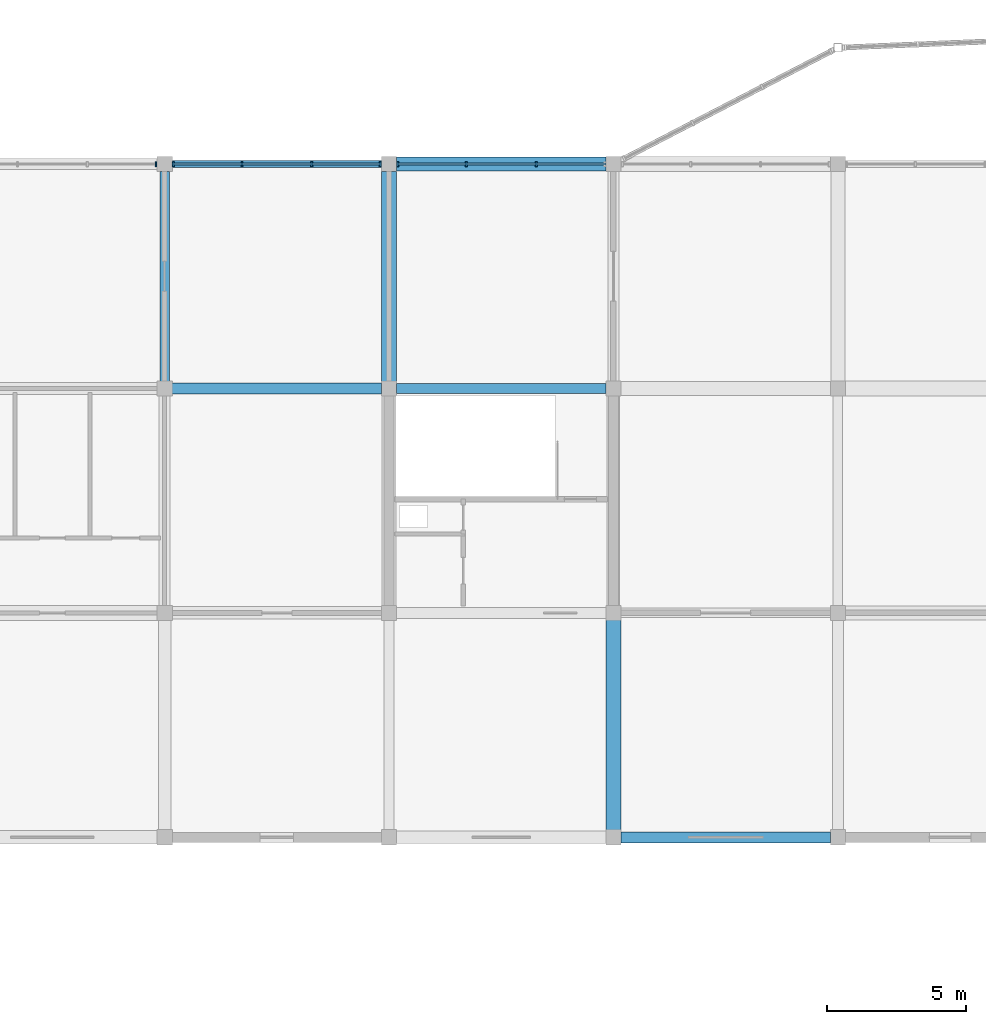
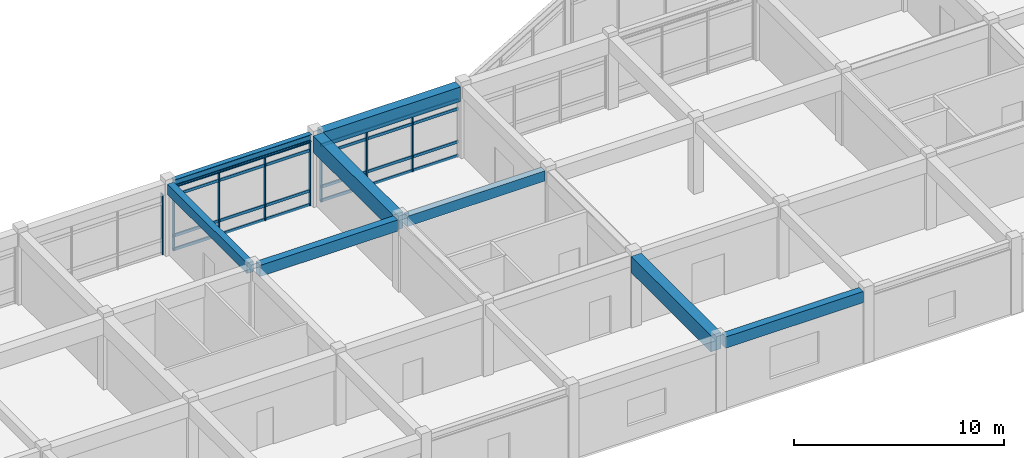
# One storey, part 9 of 40: 16 members, 8 beams, 3 elements without a shape of their own.
"""IFC4 building model written with IfcOpenShell, lengths in metres."""

import ifcopenshell
import ifcopenshell.guid

model = None  # the IFC model being written
_history = None  # IfcOwnerHistory: only IFC2X3 demands one
_inside = {}  # id of a spatial element -> (the spatial element, [elements in it])
_under = {}  # id of a project, library or spatial element -> (it, [spatial elements below it])
_declared = {}  # id of a project -> (the project, [libraries it declares])
_typed = {}  # id of a type object -> (the type object, [elements of that type])
_made_of = {}  # id of a material, layer set ... -> (it, [elements and type objects made of it])


def new_model(schema):
    """Start an empty IFC model of exactly this schema.

    Asked for "IFC4X3", IfcOpenShell would pick the latest addendum, in which some entities
    have other attributes; the version numbers below select the first issue.
    IFC2X3 requires an IfcOwnerHistory on every rooted entity: one is made here for all.
    """
    global model, _history
    if schema == "IFC4X3":
        model = ifcopenshell.file(schema_version=(4, 3, 0, 0))
    else:
        model = ifcopenshell.file(schema=schema)
    _inside.clear()
    _under.clear()
    _declared.clear()
    _typed.clear()
    _made_of.clear()
    _history = None
    if model.schema == "IFC2X3":
        org = make("IfcOrganization", Name="unknown")
        user = make(
            "IfcPersonAndOrganization",
            ThePerson=make("IfcPerson", FamilyName="unknown"),
            TheOrganization=org,
        )
        app = make(
            "IfcApplication",
            ApplicationDeveloper=org,
            Version="unknown",
            ApplicationFullName="unknown",
            ApplicationIdentifier="unknown",
        )
        _history = make(
            "IfcOwnerHistory",
            OwningUser=user,
            OwningApplication=app,
            ChangeAction="ADDED",
            CreationDate=0,
        )
    return model


def make(cls, **values):
    """One entity of the class cls with the attributes given. An attribute that is None is left unset."""
    return model.create_entity(
        cls, **{name: value for name, value in values.items() if value is not None}
    )


def rooted(cls, **values):
    """An entity with a GlobalId (a new one), such as an element, a storey or a relation."""
    return make(cls, GlobalId=ifcopenshell.guid.new(), OwnerHistory=_history, **values)


def si_unit(unit_type, name, prefix=None):
    """IfcSIUnit, for example si_unit("LENGTHUNIT", "METRE", prefix="MILLI")."""
    return make("IfcSIUnit", UnitType=unit_type, Prefix=prefix, Name=name)


def assignment(units):
    """IfcUnitAssignment: the units of a project."""
    return None if units is None else make("IfcUnitAssignment", Units=units)


def point(xyz):
    """IfcCartesianPoint."""
    return None if xyz is None else make("IfcCartesianPoint", Coordinates=xyz)


def direction(xyz):
    """IfcDirection."""
    return None if xyz is None else make("IfcDirection", DirectionRatios=xyz)


def frame(location, z_axis=None, x_axis=None):
    """IfcAxis2Placement3D, a coordinate frame: its origin and axes. An axis left out is left unset."""
    return make(
        "IfcAxis2Placement3D",
        Location=point(location),
        Axis=direction(z_axis),
        RefDirection=direction(x_axis),
    )


def frame_2d(location, x_axis=None):
    """IfcAxis2Placement2D, a coordinate frame in the plane: its origin and x axis."""
    return make(
        "IfcAxis2Placement2D", Location=point(location), RefDirection=direction(x_axis)
    )


def origin():
    """The frame at (0, 0, 0) with its axes left unset."""
    return frame((0.0, 0.0, 0.0))


def origin_2d():
    """The frame at (0, 0) in the plane with its x axis left unset."""
    return frame_2d((0.0, 0.0))


def place(relative_to, where):
    """IfcLocalPlacement: puts the frame where relative to a parent placement (None: the world)."""
    return make(
        "IfcLocalPlacement", PlacementRelTo=relative_to, RelativePlacement=where
    )


def context(
    kind, dimensions, precision=None, world=None, true_north=None, identifier=None
):
    """IfcGeometricRepresentationContext, for example the 3D "Model" context."""
    return make(
        "IfcGeometricRepresentationContext",
        ContextIdentifier=identifier,
        ContextType=kind,
        CoordinateSpaceDimension=dimensions,
        Precision=precision,
        WorldCoordinateSystem=world,
        TrueNorth=true_north,
    )


def subcontext(parent, identifier, kind, view, scale=None):
    """IfcGeometricRepresentationSubContext, for example "Body" below "Model"."""
    return make(
        "IfcGeometricRepresentationSubContext",
        ContextIdentifier=identifier,
        ContextType=kind,
        ParentContext=parent,
        TargetScale=scale,
        TargetView=view,
    )


def project(units=None, contexts=None):
    """IfcProject with its units and contexts."""
    return rooted(
        "IfcProject",
        Name="project",
        RepresentationContexts=contexts,
        UnitsInContext=assignment(units),
    )


def spatial(cls, under=None, at=None, **own):
    """A site, building, storey or space (cls), placed at a placement, below another one or the project."""
    s = rooted(cls, ObjectPlacement=at, **own)
    if under is not None:
        _under.setdefault(under.id(), (under, []))[1].append(s)
    return s


def profile(cls, at=None, kind="AREA", **sizes):
    """A parametric profile (cls). Its sizes go by their IFC names, for example OverallWidth=200.0."""
    return make(cls, ProfileType=kind, Position=at, **sizes)


def rectangle(**sizes):
    """IfcRectangleProfileDef."""
    return profile("IfcRectangleProfileDef", **sizes)


def i_section(**sizes):
    """IfcIShapeProfileDef."""
    return profile("IfcIShapeProfileDef", **sizes)


def extrude(swept, where, along, depth):
    """IfcExtrudedAreaSolid: the profile swept, set in the frame where, extruded along a direction by depth."""
    return make(
        "IfcExtrudedAreaSolid",
        SweptArea=swept,
        Position=where,
        ExtrudedDirection=direction(along),
        Depth=depth,
    )


def shape(context_of_items, identifier, shape_type, items):
    """IfcShapeRepresentation: the items that make up one representation, for example the "Body"."""
    return make(
        "IfcShapeRepresentation",
        ContextOfItems=context_of_items,
        RepresentationIdentifier=identifier,
        RepresentationType=shape_type,
        Items=items,
    )


def material(Name=None, Category=None):
    """IfcMaterial."""
    return make("IfcMaterial", Name=Name, Category=Category)


def layer(
    of_material, thickness, ventilated=None, Name=None, Category=None, Priority=None
):
    """IfcMaterialLayer: one layer of a wall or slab, of a material (None: an air gap)."""
    return make(
        "IfcMaterialLayer",
        Material=of_material,
        LayerThickness=thickness,
        IsVentilated=ventilated,
        Name=Name,
        Category=Category,
        Priority=Priority,
    )


def layer_set(layers, Name=None):
    """IfcMaterialLayerSet."""
    return make("IfcMaterialLayerSet", MaterialLayers=layers, LayerSetName=Name)


def material_profile(
    of_material, cross_section, Name=None, Category=None, Priority=None
):
    """IfcMaterialProfile: a cross section and its material."""
    return make(
        "IfcMaterialProfile",
        Name=Name,
        Material=of_material,
        Profile=cross_section,
        Priority=Priority,
        Category=Category,
    )


def profile_set(profiles, Name=None, composite=None):
    """IfcMaterialProfileSet."""
    return make(
        "IfcMaterialProfileSet",
        Name=Name,
        MaterialProfiles=profiles,
        CompositeProfile=composite,
    )


def made_of(thing, what):
    """Note that an element or type object is made of a material, layer set ...; save() writes the relation."""
    if what is not None:
        _made_of.setdefault(what.id(), (what, []))[1].append(thing)
    return thing


def type_object(cls, material=None, **own):
    """A type object (cls), such as IfcWallType, which elements share."""
    return made_of(rooted(cls, **own), material)


def element(
    cls,
    number,
    at=None,
    inside=None,
    cuts=None,
    type_object=None,
    material=None,
    context=None,
    identifier="Body",
    shape_type=None,
    held_by="IfcProductDefinitionShape",
    body=None,
    shapes=None,
    **own,
):
    """One element of the class cls, such as IfcWall. Its Tag is "e" and its number.

    at: its placement. inside: the storey or other place that contains it. cuts: it is an
    opening in that element (IfcRelVoidsElement). A single representation is given by context,
    identifier, shape_type and body (its items); several are given by shapes. held_by: the class
    of the entity that holds the representations. save() writes the other relations.
    """
    e = rooted(cls, Tag="e%d" % number, ObjectPlacement=at, **own)
    if body is not None:
        shapes = [shape(context, identifier, shape_type, body)]
    if shapes is not None:
        e.Representation = make(held_by, Representations=shapes)
    if inside is not None:
        _inside.setdefault(inside.id(), (inside, []))[1].append(e)
    if cuts is not None:
        rooted(
            "IfcRelVoidsElement", RelatingBuildingElement=cuts, RelatedOpeningElement=e
        )
    if type_object is not None:
        _typed.setdefault(type_object.id(), (type_object, []))[1].append(e)
    return made_of(e, material)


def aggregate(whole, parts):
    """IfcRelAggregates: a whole, such as a stair, and the parts it consists of."""
    return rooted("IfcRelAggregates", RelatingObject=whole, RelatedObjects=parts)


def save(model, path):
    """Write the relations noted so far, then the file.

    IfcRelAggregates (storeys below a building ...), IfcRelContainedInSpatialStructure (elements
    in a storey), IfcRelDefinesByType, IfcRelAssociatesMaterial and IfcRelDeclares: one each for
    every whole, place, type object, material and project.
    """
    for whole, parts in _under.values():
        aggregate(whole, parts)
    for where, things in _inside.values():
        rooted(
            "IfcRelContainedInSpatialStructure",
            RelatedElements=things,
            RelatingStructure=where,
        )
    for kind, things in _typed.values():
        rooted("IfcRelDefinesByType", RelatedObjects=things, RelatingType=kind)
    for what, things in _made_of.values():
        rooted("IfcRelAssociatesMaterial", RelatedObjects=things, RelatingMaterial=what)
    for by, libraries in _declared.values():
        rooted("IfcRelDeclares", RelatingContext=by, RelatedDefinitions=libraries)
    model.write(path)


model = new_model("IFC4")

# Units and contexts
model_context = context("Model", 3, precision=1e-05, world=origin(), true_north=direction((0.0, 1.0)))
body_context = subcontext(model_context, "Body", "Model", "MODEL_VIEW")
ifc_project = project(units=[si_unit("LENGTHUNIT", "METRE"), si_unit("AREAUNIT", "SQUARE_METRE"), si_unit("VOLUMEUNIT", "CUBIC_METRE"), si_unit("PLANEANGLEUNIT", "RADIAN"), si_unit("MASSUNIT", "GRAM", prefix="KILO")], contexts=[model_context])

# Site, building, storey
site_placement = place(None, origin())
site = spatial("IfcSite", under=ifc_project, at=site_placement, CompositionType="ELEMENT")
building_placement = place(site_placement, origin())
building = spatial("IfcBuilding", under=site, at=building_placement, Name="Vaudrelin Polytechnic", CompositionType="ELEMENT")
storey_placement = place(building_placement, frame((0.0, 0.0, 22.949951171875)))
storey = spatial("IfcBuildingStorey", under=building, at=storey_placement, Name="L05", CompositionType="ELEMENT", Elevation=22.949951171875)

# Beams
ifc_material_1 = material(Name="Concrete 40 MPa", Category="concrete")
ifc_material_profile_1 = material_profile(ifc_material_1, rectangle(XDim=0.35009765625, YDim=0.60009765625, at=origin_2d()), Name="RC350x600")
ifc_profile_set_1 = profile_set([ifc_material_profile_1], Name="Concrete 40 MPa")
beam_type_1 = type_object("IfcBeamType", Name="BM-BM-RC3560", PredefinedType="BEAM", material=ifc_profile_set_1)
beam_1_placement = place(storey_placement, frame((48.60009765625, 113.659912109375, 3.860107421875), z_axis=(0.0, 1.0, 0.0), x_axis=(-1.0, 0.0, 0.0)))
element("IfcBeam", 1, at=beam_1_placement, inside=storey, type_object=beam_type_1, Name="L05 Y-beam 7-15", PredefinedType="BEAM", context=body_context, shape_type="SweptSolid", body=[
    extrude(rectangle(XDim=0.35009765625, YDim=0.60009765625, at=origin_2d()), origin(), (0.0, 0.0, 1.0), 7.580078125),
])
beam_2_placement = place(storey_placement, frame((56.970947265625, 113.39990234375, 3.860107421875), z_axis=(1.0, 0.0, 0.0), x_axis=(0.0, 1.0, 0.0)))
element("IfcBeam", 2, at=beam_2_placement, inside=storey, type_object=beam_type_1, Name="L05 X-beam 8-15", PredefinedType="BEAM", context=body_context, shape_type="SweptSolid", body=[
    extrude(rectangle(XDim=0.35009765625, YDim=0.60009765625, at=origin_2d()), origin(), (0.0, 0.0, 1.0), 7.55810546875),
])
ifc_material_profile_2 = material_profile(ifc_material_1, rectangle(XDim=0.39990234375, YDim=0.64990234375, at=origin_2d()), Name="RC400x650")
ifc_profile_set_2 = profile_set([ifc_material_profile_2], Name="Concrete 40 MPa")
beam_type_2 = type_object("IfcBeamType", Name="BM-BM-RC4065", PredefinedType="BEAM", material=ifc_profile_set_2)
for number, where, z_axis, x_axis, name in (
    (3, (48.87109375, 113.39990234375, 3.8349609375), (1.0, 0.0, 0.0), (0.0, 1.0, 0.0), "L05 X-beam 7-15"),
    (4, (65.071044921875, 97.199951171875, 3.8349609375), (1.0, 0.0, 0.0), (0.0, 1.0, 0.0), "L05 X-beam 9-13"),
):
    element("IfcBeam", number, at=place(storey_placement, frame(where, z_axis=z_axis, x_axis=x_axis)), inside=storey, type_object=beam_type_2, Name=name, PredefinedType="BEAM", context=body_context, shape_type="SweptSolid", body=[
        extrude(rectangle(XDim=0.39990234375, YDim=0.64990234375, at=origin_2d()), origin(), (0.0, 0.0, 1.0), 7.557861328125),
    ])
ifc_material_profile_3 = material_profile(ifc_material_1, rectangle(XDim=0.5, YDim=0.85009765625, at=origin_2d()), Name="RC500x850")
ifc_profile_set_3 = profile_set([ifc_material_profile_3], Name="Concrete 40 MPa")
beam_type_3 = type_object("IfcBeamType", Name="BM-BM-RC5085", PredefinedType="BEAM", material=ifc_profile_set_3)
beam_3_placement = place(storey_placement, frame((56.970947265625, 121.5, 3.735107421875), z_axis=(1.0, 0.0, 0.0), x_axis=(0.0, 1.0, 0.0)))
element("IfcBeam", 5, at=beam_3_placement, inside=storey, type_object=beam_type_3, Name="L05 X-beam 8-16", PredefinedType="BEAM", context=body_context, shape_type="SweptSolid", body=[
    extrude(rectangle(XDim=0.5, YDim=0.85009765625, at=origin_2d()), origin(), (0.0, 0.0, 1.0), 7.55810546875),
])
ifc_material_2 = material(Name="Concrete 50 MPa", Category="concrete")
ifc_material_profile_4 = material_profile(ifc_material_2, rectangle(XDim=0.550048828125, YDim=0.949951171875, at=origin_2d()), Name="RC550x950")
ifc_profile_set_4 = profile_set([ifc_material_profile_4], Name="Concrete 50 MPa")
beam_type_4 = type_object("IfcBeamType", Name="BM-BM-RC5595", PredefinedType="BEAM", material=ifc_profile_set_4)
for number, where, z_axis, x_axis, name in (
    (6, (56.699951171875, 113.659912109375, 3.68505859375), (0.0, 1.0, 0.0), (-1.0, 0.0, 0.0), "L05 Y-beam 8-15"),
    (7, (64.800048828125, 97.4599609375, 3.68505859375), (0.0, 1.0, 0.0), (-1.0, 0.0, 0.0), "L05 Y-beam 9-13"),
):
    element("IfcBeam", number, at=place(storey_placement, frame(where, z_axis=z_axis, x_axis=x_axis)), inside=storey, type_object=beam_type_4, Name=name, PredefinedType="BEAM", context=body_context, shape_type="SweptSolid", body=[
        extrude(rectangle(XDim=0.550048828125, YDim=0.949951171875, at=origin_2d()), origin(), (0.0, 0.0, 1.0), 7.580078125),
    ])
ifc_material_3 = material(Name="Steel CSA G40.21 350WT", Category="steel")
ifc_material_profile_5 = material_profile(ifc_material_3, i_section(OverallWidth=0.260009765625, OverallDepth=0.4150390625, WebThickness=0.010009765625, FlangeThickness=0.016845703125, FilletRadius=0.01611328125, at=origin_2d()), Name="W410x100")
ifc_profile_set_5 = profile_set([ifc_material_profile_5], Name="Steel CSA G40.21 350WT")
beam_type_5 = type_object("IfcBeamType", Name="BM-BM-W410H", PredefinedType="SPANDREL", material=ifc_profile_set_5)
beam_4_placement = place(storey_placement, frame((48.87109375, 121.5, 3.95263671875), z_axis=(1.0, 0.0, 0.0), x_axis=(0.0, 1.0, 0.0)))
element("IfcBeam", 8, at=beam_4_placement, inside=storey, type_object=beam_type_5, Name="L05 X-beam 7-16", PredefinedType="SPANDREL", context=body_context, shape_type="SweptSolid", body=[
    extrude(i_section(OverallWidth=0.260009765625, OverallDepth=0.4150390625, WebThickness=0.010009765625, FlangeThickness=0.016845703125, FilletRadius=0.01611328125, at=origin_2d()), origin(), (0.0, 0.0, 1.0), 7.557861328125),
])

# Curtain wall, member
ifc_material_4 = material(Name="Thermally broken anodised aluminium AA 6063-T6 and low-e triple glazing", Category="aluminium")
ifc_layer = layer(ifc_material_4, 0.199951171875)
ifc_layer_set = layer_set([ifc_layer], Name="Thermally broken anodised aluminium AA 6063-T6 and low-e triple glazing")
curtain_wall_type = type_object("IfcCurtainWallType", Name="CW-CW-STU", PredefinedType="USERDEFINED", material=ifc_layer_set)
curtain_wall_1_placement = place(storey_placement, origin())
curtain_wall_1 = element("IfcCurtainWall", 9, at=curtain_wall_1_placement, inside=storey, type_object=curtain_wall_type, Name="Curtain wall L05 N_V5_03", ObjectType="CURTAIN WALL", PredefinedType="USERDEFINED")
ifc_material_5 = material(Name="Anodised aluminium AA 6063-T6", Category="aluminium")
ifc_material_profile_6 = material_profile(ifc_material_5, rectangle(XDim=0.06494140625, YDim=0.179931640625, at=origin_2d()), Name="CWM-65x180")
ifc_profile_set_6 = profile_set([ifc_material_profile_6], Name="Anodised aluminium AA 6063-T6")
member_type_1 = type_object("IfcMemberType", Name="MEM-CWM-180", PredefinedType="MULLION", material=ifc_profile_set_6)
member_1_placement = place(storey_placement, frame((48.287109375, 121.5, 0.0), z_axis=(0.0, 0.0, 1.0), x_axis=(1.0, 0.0, 0.0)))
member_1 = element("IfcMember", 10, at=member_1_placement, type_object=member_type_1, Name="N_V5_03 mullion 4", PredefinedType="MULLION", context=body_context, shape_type="SweptSolid", body=[
    extrude(rectangle(XDim=0.06494140625, YDim=0.179931640625, at=origin_2d()), origin(), (0.0, 0.0, 1.0), 3.511962890625),
])
aggregate(curtain_wall_1, [member_1])

# Curtain wall, members
curtain_wall_2_placement = place(storey_placement, origin())
curtain_wall_2 = element("IfcCurtainWall", 11, at=curtain_wall_2_placement, inside=storey, type_object=curtain_wall_type, Name="Curtain wall L05 N_V5_04", ObjectType="CURTAIN WALL", PredefinedType="USERDEFINED")
member_2_placement = place(storey_placement, frame((48.9130859375, 121.5, 0.0), z_axis=(0.0, 0.0, 1.0), x_axis=(1.0, 0.0, 0.0)))
member_2 = element("IfcMember", 12, at=member_2_placement, type_object=member_type_1, Name="N_V5_04 mullion 1", PredefinedType="MULLION", context=body_context, shape_type="SweptSolid", body=[
    extrude(rectangle(XDim=0.06494140625, YDim=0.179931640625, at=origin_2d()), origin(), (0.0, 0.0, 1.0), 3.7470703125),
])
member_3_placement = place(storey_placement, frame((51.39111328125, 121.5, 0.0), z_axis=(0.0, 0.0, 1.0), x_axis=(1.0, 0.0, 0.0)))
member_3 = element("IfcMember", 13, at=member_3_placement, type_object=member_type_1, Name="N_V5_04 mullion 2", PredefinedType="MULLION", context=body_context, shape_type="SweptSolid", body=[
    extrude(rectangle(XDim=0.06494140625, YDim=0.179931640625, at=origin_2d()), origin(), (0.0, 0.0, 1.0), 3.7470703125),
])
member_4_placement = place(storey_placement, frame((53.908935546875, 121.5, 0.0), z_axis=(0.0, 0.0, 1.0), x_axis=(1.0, 0.0, 0.0)))
member_4 = element("IfcMember", 14, at=member_4_placement, type_object=member_type_1, Name="N_V5_04 mullion 3", PredefinedType="MULLION", context=body_context, shape_type="SweptSolid", body=[
    extrude(rectangle(XDim=0.06494140625, YDim=0.179931640625, at=origin_2d()), origin(), (0.0, 0.0, 1.0), 3.7470703125),
])
member_5_placement = place(storey_placement, frame((56.386962890625, 121.5, 0.0), z_axis=(0.0, 0.0, 1.0), x_axis=(1.0, 0.0, 0.0)))
member_5 = element("IfcMember", 15, at=member_5_placement, type_object=member_type_1, Name="N_V5_04 mullion 4", PredefinedType="MULLION", context=body_context, shape_type="SweptSolid", body=[
    extrude(rectangle(XDim=0.06494140625, YDim=0.179931640625, at=origin_2d()), origin(), (0.0, 0.0, 1.0), 3.7470703125),
])

curtain_wall_3_placement = place(storey_placement, origin())
curtain_wall_3 = element("IfcCurtainWall", 16, at=curtain_wall_3_placement, inside=storey, type_object=curtain_wall_type, Name="Curtain wall L05 N_V5_05", ObjectType="CURTAIN WALL", PredefinedType="USERDEFINED")
member_6_placement = place(storey_placement, frame((57.012939453125, 121.5, 0.0), z_axis=(0.0, 0.0, 1.0), x_axis=(1.0, 0.0, 0.0)))
member_6 = element("IfcMember", 17, at=member_6_placement, type_object=member_type_1, Name="N_V5_05 mullion 1", PredefinedType="MULLION", context=body_context, shape_type="SweptSolid", body=[
    extrude(rectangle(XDim=0.06494140625, YDim=0.179931640625, at=origin_2d()), origin(), (0.0, 0.0, 1.0), 3.31201171875),
])
member_7_placement = place(storey_placement, frame((59.490966796875, 121.5, 0.0), z_axis=(0.0, 0.0, 1.0), x_axis=(1.0, 0.0, 0.0)))
member_7 = element("IfcMember", 18, at=member_7_placement, type_object=member_type_1, Name="N_V5_05 mullion 2", PredefinedType="MULLION", context=body_context, shape_type="SweptSolid", body=[
    extrude(rectangle(XDim=0.06494140625, YDim=0.179931640625, at=origin_2d()), origin(), (0.0, 0.0, 1.0), 3.31201171875),
])
member_8_placement = place(storey_placement, frame((62.009033203125, 121.5, 0.0), z_axis=(0.0, 0.0, 1.0), x_axis=(1.0, 0.0, 0.0)))
member_8 = element("IfcMember", 19, at=member_8_placement, type_object=member_type_1, Name="N_V5_05 mullion 3", PredefinedType="MULLION", context=body_context, shape_type="SweptSolid", body=[
    extrude(rectangle(XDim=0.06494140625, YDim=0.179931640625, at=origin_2d()), origin(), (0.0, 0.0, 1.0), 3.31201171875),
])

# Member
ifc_material_profile_7 = material_profile(ifc_material_5, rectangle(XDim=0.074951171875, YDim=0.1650390625, at=origin_2d()), Name="CWT-75x165")
ifc_profile_set_7 = profile_set([ifc_material_profile_7], Name="Anodised aluminium AA 6063-T6")
member_type_2 = type_object("IfcMemberType", Name="MEM-CWT-165", PredefinedType="USERDEFINED", material=ifc_profile_set_7)
member_9_placement = place(storey_placement, frame((48.873046875, 121.5, 0.050048828125), z_axis=(1.0, 0.0, 0.0), x_axis=(0.0, 1.0, 0.0)))
member_9 = element("IfcMember", 20, at=member_9_placement, type_object=member_type_2, Name="N_V5_04 transom 1", ObjectType="TRANSOM", PredefinedType="USERDEFINED", context=body_context, shape_type="SweptSolid", body=[
    extrude(rectangle(XDim=0.074951171875, YDim=0.1650390625, at=origin_2d()), origin(), (0.0, 0.0, 1.0), 7.553955078125),
])

member_10_placement = place(storey_placement, frame((48.873046875, 121.5, 0.85009765625), z_axis=(1.0, 0.0, 0.0), x_axis=(0.0, 1.0, 0.0)))
member_10 = element("IfcMember", 21, at=member_10_placement, type_object=member_type_2, Name="N_V5_04 transom 2", ObjectType="TRANSOM", PredefinedType="USERDEFINED", context=body_context, shape_type="SweptSolid", body=[
    extrude(rectangle(XDim=0.074951171875, YDim=0.1650390625, at=origin_2d()), origin(), (0.0, 0.0, 1.0), 7.553955078125),
])

member_11_placement = place(storey_placement, frame((48.873046875, 121.5, 3.197021484375), z_axis=(1.0, 0.0, 0.0), x_axis=(0.0, 1.0, 0.0)))
member_11 = element("IfcMember", 22, at=member_11_placement, type_object=member_type_2, Name="N_V5_04 transom 3", ObjectType="TRANSOM", PredefinedType="USERDEFINED", context=body_context, shape_type="SweptSolid", body=[
    extrude(rectangle(XDim=0.074951171875, YDim=0.1650390625, at=origin_2d()), origin(), (0.0, 0.0, 1.0), 7.553955078125),
])

member_12_placement = place(storey_placement, frame((48.873046875, 121.5, 3.697021484375), z_axis=(1.0, 0.0, 0.0), x_axis=(0.0, 1.0, 0.0)))
member_12 = element("IfcMember", 23, at=member_12_placement, type_object=member_type_2, Name="N_V5_04 transom 4", ObjectType="TRANSOM", PredefinedType="USERDEFINED", context=body_context, shape_type="SweptSolid", body=[
    extrude(rectangle(XDim=0.074951171875, YDim=0.1650390625, at=origin_2d()), origin(), (0.0, 0.0, 1.0), 7.553955078125),
])

aggregate(curtain_wall_2, [member_2, member_3, member_4, member_5, member_9, member_10, member_11, member_12])

member_13_placement = place(storey_placement, frame((56.972900390625, 121.5, 0.050048828125), z_axis=(1.0, 0.0, 0.0), x_axis=(0.0, 1.0, 0.0)))
member_13 = element("IfcMember", 24, at=member_13_placement, type_object=member_type_2, Name="N_V5_05 transom 1", ObjectType="TRANSOM", PredefinedType="USERDEFINED", context=body_context, shape_type="SweptSolid", body=[
    extrude(rectangle(XDim=0.074951171875, YDim=0.1650390625, at=origin_2d()), origin(), (0.0, 0.0, 1.0), 7.55419921875),
])

member_14_placement = place(storey_placement, frame((56.972900390625, 121.5, 0.85009765625), z_axis=(1.0, 0.0, 0.0), x_axis=(0.0, 1.0, 0.0)))
member_14 = element("IfcMember", 25, at=member_14_placement, type_object=member_type_2, Name="N_V5_05 transom 2", ObjectType="TRANSOM", PredefinedType="USERDEFINED", context=body_context, shape_type="SweptSolid", body=[
    extrude(rectangle(XDim=0.074951171875, YDim=0.1650390625, at=origin_2d()), origin(), (0.0, 0.0, 1.0), 7.55419921875),
])

member_15_placement = place(storey_placement, frame((56.972900390625, 121.5, 2.761962890625), z_axis=(1.0, 0.0, 0.0), x_axis=(0.0, 1.0, 0.0)))
member_15 = element("IfcMember", 26, at=member_15_placement, type_object=member_type_2, Name="N_V5_05 transom 3", ObjectType="TRANSOM", PredefinedType="USERDEFINED", context=body_context, shape_type="SweptSolid", body=[
    extrude(rectangle(XDim=0.074951171875, YDim=0.1650390625, at=origin_2d()), origin(), (0.0, 0.0, 1.0), 7.55419921875),
])

member_16_placement = place(storey_placement, frame((56.972900390625, 121.5, 3.261962890625), z_axis=(1.0, 0.0, 0.0), x_axis=(0.0, 1.0, 0.0)))
member_16 = element("IfcMember", 27, at=member_16_placement, type_object=member_type_2, Name="N_V5_05 transom 4", ObjectType="TRANSOM", PredefinedType="USERDEFINED", context=body_context, shape_type="SweptSolid", body=[
    extrude(rectangle(XDim=0.074951171875, YDim=0.1650390625, at=origin_2d()), origin(), (0.0, 0.0, 1.0), 7.55419921875),
])

aggregate(curtain_wall_3, [member_6, member_7, member_8, member_13, member_14, member_15, member_16])

save(model, "model.ifc")
